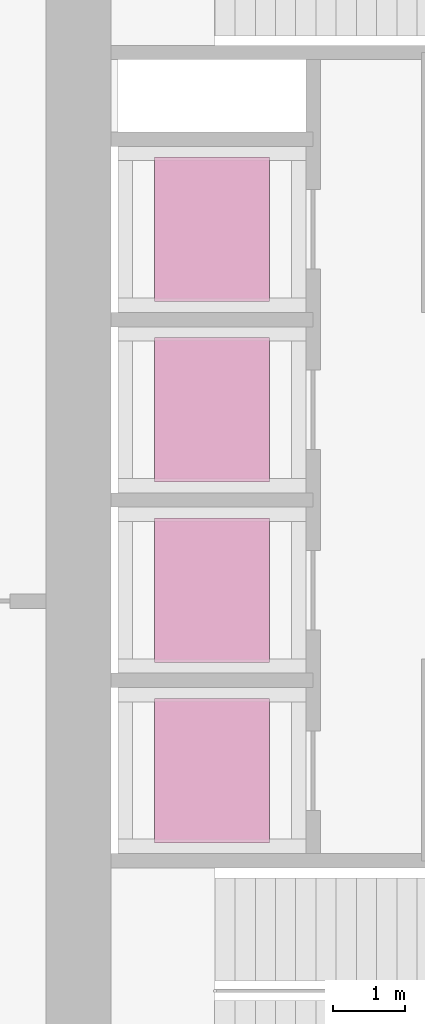
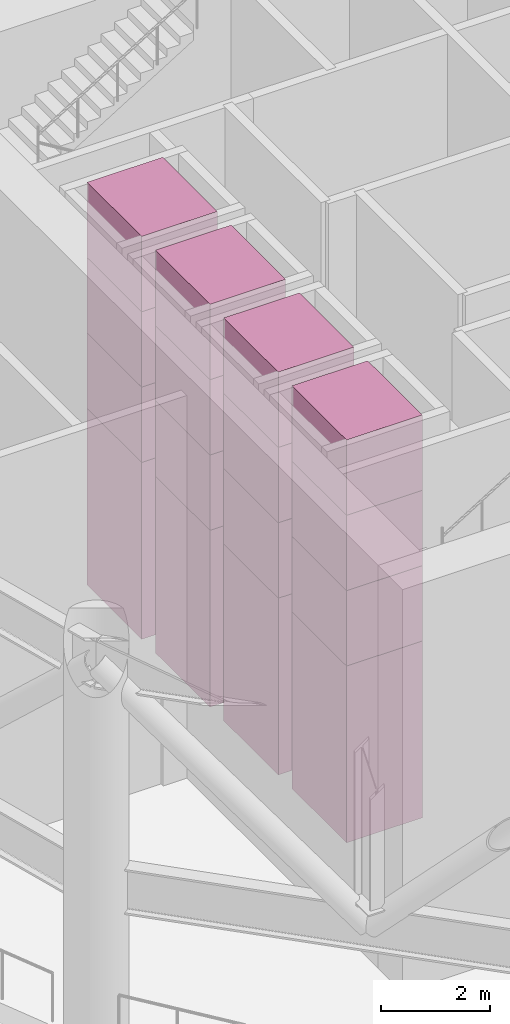
# One storey, part 14 of 14: 16 transport elements.
"""IFC4 building model written with IfcOpenShell, lengths in metres."""

from ifc_helpers import new_model, si_unit, direction, frame, origin, origin_2d, place, context, subcontext, project, spatial, rectangle, extrude, material, type_object, element, save


model = new_model("IFC4")

# Units and contexts
model_context = context("Model", 3, precision=1e-05, world=origin(), true_north=direction((0.0, 1.0)))
body_context = subcontext(model_context, "Body", "Model", "MODEL_VIEW")
ifc_project = project(units=[si_unit("LENGTHUNIT", "METRE"), si_unit("AREAUNIT", "SQUARE_METRE"), si_unit("VOLUMEUNIT", "CUBIC_METRE"), si_unit("PLANEANGLEUNIT", "RADIAN"), si_unit("MASSUNIT", "GRAM", prefix="KILO")], contexts=[model_context])

# Site, building, storey
site_placement = place(None, origin())
site = spatial("IfcSite", under=ifc_project, at=site_placement, CompositionType="ELEMENT")
building_placement = place(site_placement, origin())
building = spatial("IfcBuilding", under=site, at=building_placement, Name="Qaws Garden Tower", CompositionType="ELEMENT")
storey_placement = place(building_placement, frame((0.0, 0.0, 117.300048828125)))
storey = spatial("IfcBuildingStorey", under=building, at=storey_placement, Name="L29", CompositionType="ELEMENT", Elevation=117.300048828125)

# Transport elements
ifc_material = material(Name="Stainless steel 316", Category="steel")
transport_element_type = type_object("IfcTransportElementType", Name="Passenger lift car 2000x1600 1800 kg", PredefinedType="ELEVATOR", material=ifc_material)
transport_element_1_placement = place(storey_placement, frame((10.300048828125, 13.64990234375, 0.0), z_axis=(0.0, 0.0, 1.0), x_axis=(1.0, 0.0, 0.0)))
element("IfcTransportElement", 1, at=transport_element_1_placement, inside=storey, type_object=transport_element_type, Name="LR1", PredefinedType="ELEVATOR", context=body_context, shape_type="SweptSolid", body=[
    extrude(rectangle(XDim=1.60009765625, YDim=2.0, at=origin_2d()), origin(), (0.0, 0.0, 1.0), 3.949951171875),
])
for number, where, z_axis, x_axis, name in (
    (2, (10.300048828125, 13.64990234375, 3.94970703125), (0.0, 0.0, 1.0), (1.0, 0.0, 0.0), "LR1"),
    (3, (10.300048828125, 13.64990234375, 5.63330078125), (0.0, 0.0, 1.0), (1.0, 0.0, 0.0), "LR1"),
    (4, (10.300048828125, 13.64990234375, 7.31640625), (0.0, 0.0, 1.0), (1.0, 0.0, 0.0), "LR1"),
):
    element("IfcTransportElement", number, at=place(storey_placement, frame(where, z_axis=z_axis, x_axis=x_axis)), inside=storey, type_object=transport_element_type, Name=name, PredefinedType="ELEVATOR", context=body_context, shape_type="SweptSolid", body=[
        extrude(rectangle(XDim=1.60009765625, YDim=2.0, at=origin_2d()), origin(), (0.0, 0.0, 1.0), 1.683349609375),
    ])
transport_element_2_placement = place(storey_placement, frame((10.300048828125, 16.14990234375, 0.0), z_axis=(0.0, 0.0, 1.0), x_axis=(1.0, 0.0, 0.0)))
element("IfcTransportElement", 5, at=transport_element_2_placement, inside=storey, type_object=transport_element_type, Name="LR2", PredefinedType="ELEVATOR", context=body_context, shape_type="SweptSolid", body=[
    extrude(rectangle(XDim=1.60009765625, YDim=2.0, at=origin_2d()), origin(), (0.0, 0.0, 1.0), 3.949951171875),
])
for number, where, z_axis, x_axis, name in (
    (6, (10.300048828125, 16.14990234375, 3.94970703125), (0.0, 0.0, 1.0), (1.0, 0.0, 0.0), "LR2"),
    (7, (10.300048828125, 16.14990234375, 5.63330078125), (0.0, 0.0, 1.0), (1.0, 0.0, 0.0), "LR2"),
    (8, (10.300048828125, 16.14990234375, 7.31640625), (0.0, 0.0, 1.0), (1.0, 0.0, 0.0), "LR2"),
):
    element("IfcTransportElement", number, at=place(storey_placement, frame(where, z_axis=z_axis, x_axis=x_axis)), inside=storey, type_object=transport_element_type, Name=name, PredefinedType="ELEVATOR", context=body_context, shape_type="SweptSolid", body=[
        extrude(rectangle(XDim=1.60009765625, YDim=2.0, at=origin_2d()), origin(), (0.0, 0.0, 1.0), 1.683349609375),
    ])
transport_element_3_placement = place(storey_placement, frame((10.300048828125, 18.64990234375, 0.0), z_axis=(0.0, 0.0, 1.0), x_axis=(1.0, 0.0, 0.0)))
element("IfcTransportElement", 9, at=transport_element_3_placement, inside=storey, type_object=transport_element_type, Name="LR3", PredefinedType="ELEVATOR", context=body_context, shape_type="SweptSolid", body=[
    extrude(rectangle(XDim=1.60009765625, YDim=2.0, at=origin_2d()), origin(), (0.0, 0.0, 1.0), 3.949951171875),
])
for number, where, z_axis, x_axis, name in (
    (10, (10.300048828125, 18.64990234375, 3.94970703125), (0.0, 0.0, 1.0), (1.0, 0.0, 0.0), "LR3"),
    (11, (10.300048828125, 18.64990234375, 5.63330078125), (0.0, 0.0, 1.0), (1.0, 0.0, 0.0), "LR3"),
    (12, (10.300048828125, 18.64990234375, 7.31640625), (0.0, 0.0, 1.0), (1.0, 0.0, 0.0), "LR3"),
):
    element("IfcTransportElement", number, at=place(storey_placement, frame(where, z_axis=z_axis, x_axis=x_axis)), inside=storey, type_object=transport_element_type, Name=name, PredefinedType="ELEVATOR", context=body_context, shape_type="SweptSolid", body=[
        extrude(rectangle(XDim=1.60009765625, YDim=2.0, at=origin_2d()), origin(), (0.0, 0.0, 1.0), 1.683349609375),
    ])
transport_element_4_placement = place(storey_placement, frame((10.300048828125, 21.14990234375, 0.0), z_axis=(0.0, 0.0, 1.0), x_axis=(1.0, 0.0, 0.0)))
element("IfcTransportElement", 13, at=transport_element_4_placement, inside=storey, type_object=transport_element_type, Name="LR4", PredefinedType="ELEVATOR", context=body_context, shape_type="SweptSolid", body=[
    extrude(rectangle(XDim=1.60009765625, YDim=2.0, at=origin_2d()), origin(), (0.0, 0.0, 1.0), 3.949951171875),
])
for number, where, z_axis, x_axis, name in (
    (14, (10.300048828125, 21.14990234375, 3.94970703125), (0.0, 0.0, 1.0), (1.0, 0.0, 0.0), "LR4"),
    (15, (10.300048828125, 21.14990234375, 5.63330078125), (0.0, 0.0, 1.0), (1.0, 0.0, 0.0), "LR4"),
    (16, (10.300048828125, 21.14990234375, 7.31640625), (0.0, 0.0, 1.0), (1.0, 0.0, 0.0), "LR4"),
):
    element("IfcTransportElement", number, at=place(storey_placement, frame(where, z_axis=z_axis, x_axis=x_axis)), inside=storey, type_object=transport_element_type, Name=name, PredefinedType="ELEVATOR", context=body_context, shape_type="SweptSolid", body=[
        extrude(rectangle(XDim=1.60009765625, YDim=2.0, at=origin_2d()), origin(), (0.0, 0.0, 1.0), 1.683349609375),
    ])

save(model, "model.ifc")
